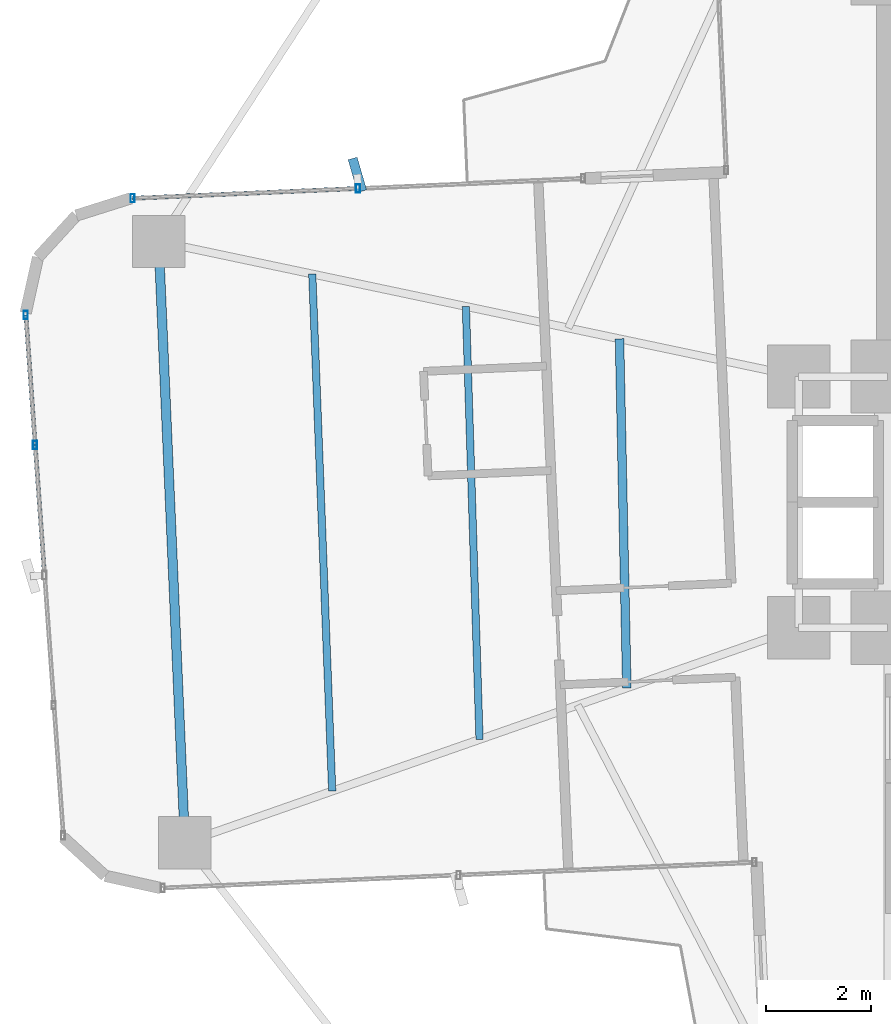
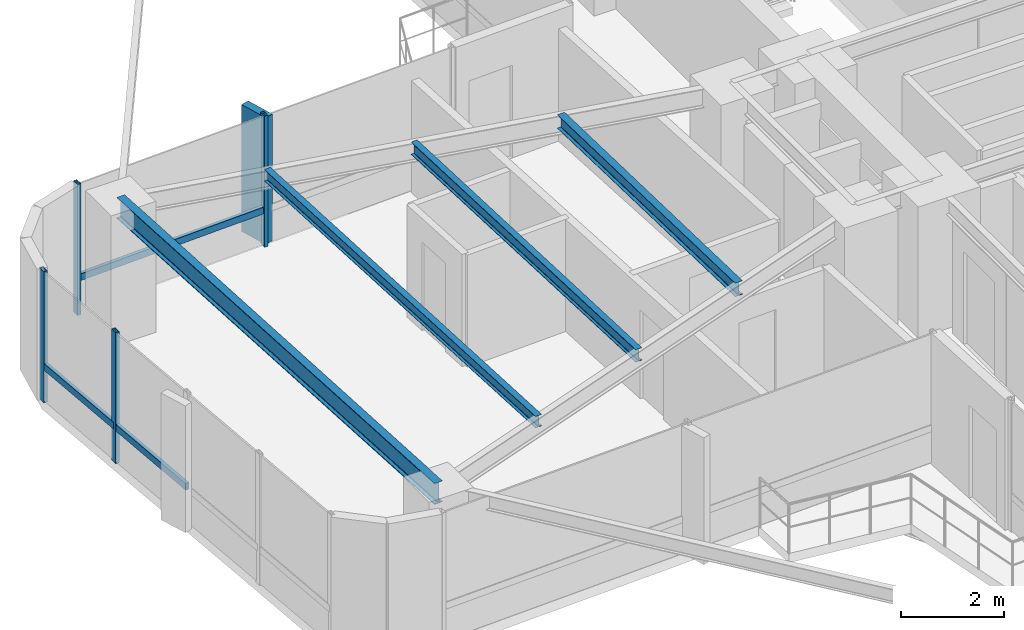
# One storey, part 9 of 26: 8 members, 4 beams, 2 elements without a shape of their own.
"""IFC4 building model written with IfcOpenShell, lengths in metres."""

from ifc_helpers import new_model, si_unit, direction, frame, origin, origin_2d, place, context, subcontext, project, spatial, rectangle, hollow_rectangle, i_section, extrude, source, transform, mapped, material, material_profile, profile_set, type_object, element, aggregate, save


model = new_model("IFC4")

# Units and contexts
model_context = context("Model", 3, precision=1e-05, world=origin(), true_north=direction((0.0, 1.0)))
body_context = subcontext(model_context, "Body", "Model", "MODEL_VIEW")
ifc_project = project(units=[si_unit("LENGTHUNIT", "METRE"), si_unit("AREAUNIT", "SQUARE_METRE"), si_unit("VOLUMEUNIT", "CUBIC_METRE"), si_unit("PLANEANGLEUNIT", "RADIAN"), si_unit("MASSUNIT", "GRAM", prefix="KILO")], contexts=[model_context])

# Site, building, storey
site_placement = place(None, origin())
site = spatial("IfcSite", under=ifc_project, at=site_placement, CompositionType="ELEMENT")
building_placement = place(site_placement, origin())
building = spatial("IfcBuilding", under=site, at=building_placement, Name="Sahyath Konkavel Grand Hotel", CompositionType="ELEMENT")
storey_placement = place(building_placement, frame((0.0, 0.0, 96.89990234375)))
storey = spatial("IfcBuildingStorey", under=building, at=storey_placement, Name="L26", CompositionType="ELEMENT", Elevation=96.89990234375)

# Beams
ifc_material_1 = material(Name="Steel E350", Category="steel")
ifc_material_profile_1 = material_profile(ifc_material_1, i_section(OverallWidth=0.179931640625, OverallDepth=0.5, WebThickness=0.01025390625, FlangeThickness=0.01708984375, FilletRadius=0.01708984375, at=origin_2d()), Name="ISMB 500")
ifc_profile_set_1 = profile_set([ifc_material_profile_1], Name="Steel E350")
beam_type_1 = type_object("IfcBeamType", Name="BM-ISMB500", PredefinedType="BEAM", material=ifc_profile_set_1)
shared_shape_1 = source(origin(), body_context, "Body", "SweptSolid", [
    extrude(i_section(OverallWidth=0.179931640625, OverallDepth=0.5, WebThickness=0.01025390625, FlangeThickness=0.01708984375, FilletRadius=0.01708984375, at=origin_2d()), origin(), (0.0, 0.0, 1.0), 11.5),
])
beam_1_placement = place(storey_placement, frame((-17.734130859375, 4.981201171875, 2.860107421875), z_axis=(0.043627008892, -0.99904788879, 0.0), x_axis=(0.99904788879, 0.043627008892, 0.0)))
element("IfcBeam", 1, at=beam_1_placement, inside=storey, type_object=beam_type_1, Name="L26 Wing Tip Edge Beam W", PredefinedType="BEAM", context=body_context, shape_type="MappedRepresentation", body=[
    mapped(shared_shape_1, transform((0.0, 0.0, 0.0), scale=1.0)),
])
ifc_material_profile_2 = material_profile(ifc_material_1, i_section(OverallWidth=0.1650390625, OverallDepth=0.324951171875, WebThickness=0.007080078125, FlangeThickness=0.009765625, FilletRadius=0.014892578125, at=origin_2d()), Name="ISLB 325")
ifc_profile_set_2 = profile_set([ifc_material_profile_2], Name="Steel E350")
beam_type_2 = type_object("IfcBeamType", Name="BM-ISLB325", PredefinedType="BEAM", material=ifc_profile_set_2)
shared_shape_2 = source(origin(), body_context, "Body", "SweptSolid", [
    extrude(i_section(OverallWidth=0.1650390625, OverallDepth=0.324951171875, WebThickness=0.007080078125, FlangeThickness=0.009765625, FilletRadius=0.014892578125, at=origin_2d()), origin(), (0.0, 0.0, 1.0), 6.674560546875),
])
beam_2_placement = place(storey_placement, frame((-8.925537109375, 3.122802734375, 2.947509765625), z_axis=(0.021032188543, -0.999778799058, 0.0), x_axis=(0.999778799058, 0.021032188543, 0.0)))
element("IfcBeam", 2, at=beam_2_placement, inside=storey, type_object=beam_type_2, Name="L26 Secondary Floor Beam W-1", PredefinedType="BEAM", context=body_context, shape_type="MappedRepresentation", body=[
    mapped(shared_shape_2, transform((0.0, 0.0, 0.0), scale=1.0)),
])
ifc_material_profile_3 = material_profile(ifc_material_1, i_section(OverallWidth=0.139892578125, OverallDepth=0.300048828125, WebThickness=0.0078125, FlangeThickness=0.01318359375, FilletRadius=0.013916015625, at=origin_2d()), Name="ISMB 300")
ifc_profile_set_3 = profile_set([ifc_material_profile_3], Name="Steel E350")
beam_type_3 = type_object("IfcBeamType", Name="BM-ISMB300", PredefinedType="BEAM", material=ifc_profile_set_3)
shared_shape_3 = source(origin(), body_context, "Body", "SweptSolid", [
    extrude(i_section(OverallWidth=0.139892578125, OverallDepth=0.300048828125, WebThickness=0.0078125, FlangeThickness=0.01318359375, FilletRadius=0.013916015625, at=origin_2d()), origin(), (0.0, 0.0, 1.0), 8.282470703125),
])
beam_3_placement = place(storey_placement, frame((-11.86181640625, 3.7421875, 2.960205078125), z_axis=(0.031510827707, -0.999503410568, 0.0), x_axis=(0.999503410568, 0.031510827707, 0.0)))
element("IfcBeam", 3, at=beam_3_placement, inside=storey, type_object=beam_type_3, Name="L26 Secondary Floor Beam W-2", PredefinedType="BEAM", context=body_context, shape_type="MappedRepresentation", body=[
    mapped(shared_shape_3, transform((0.0, 0.0, 0.0), scale=1.0)),
])
ifc_material_profile_4 = material_profile(ifc_material_1, i_section(OverallWidth=0.139892578125, OverallDepth=0.27490234375, WebThickness=0.00634765625, FlangeThickness=0.0087890625, FilletRadius=0.012939453125, at=origin_2d()), Name="ISLB 275")
ifc_profile_set_4 = profile_set([ifc_material_profile_4], Name="Steel E350")
beam_type_4 = type_object("IfcBeamType", Name="BM-ISLB275", PredefinedType="BEAM", material=ifc_profile_set_4)
shared_shape_4 = source(origin(), body_context, "Body", "SweptSolid", [
    extrude(i_section(OverallWidth=0.139892578125, OverallDepth=0.27490234375, WebThickness=0.00634765625, FlangeThickness=0.0087890625, FilletRadius=0.012939453125, at=origin_2d()), origin(), (0.0, 0.0, 1.0), 9.89111328125),
])
beam_4_placement = place(storey_placement, frame((-14.798095703125, 4.36181640625, 2.97265625), z_axis=(0.03855445741, -0.999256500511, 0.0), x_axis=(0.999256500511, 0.03855445741, 0.0)))
element("IfcBeam", 4, at=beam_4_placement, inside=storey, type_object=beam_type_4, Name="L26 Secondary Floor Beam W-3", PredefinedType="BEAM", context=body_context, shape_type="MappedRepresentation", body=[
    mapped(shared_shape_4, transform((0.0, 0.0, 0.0), scale=1.0)),
])

# Curtain wall, members
ifc_material_2 = material(Name="Anodised Bronze Aluminium & Low-E Glazing", Category="aluminium")
curtain_wall_type = type_object("IfcCurtainWallType", Name="CW-ZONE2", PredefinedType="NOTDEFINED", material=ifc_material_2)
curtain_wall_1_placement = place(storey_placement, origin())
curtain_wall_1 = element("IfcCurtainWall", 5, at=curtain_wall_1_placement, inside=storey, type_object=curtain_wall_type, Name="L26 Unitised Curtain Wall F16", PredefinedType="NOTDEFINED")
ifc_material_3 = material(Name="Warm Buff Sandstone Cladding on Concrete C50/60", Category="masonry")
ifc_material_profile_5 = material_profile(ifc_material_3, rectangle(XDim=0.179931640625, YDim=0.64990234375, at=origin_2d()), Name="FIN 180x650")
ifc_profile_set_5 = profile_set([ifc_material_profile_5], Name="Warm Buff Sandstone Cladding on Concrete C50/60")
member_type_1 = type_object("IfcMemberType", Name="FIN-SANDSTONE-650", PredefinedType="MULLION", material=ifc_profile_set_5)
shared_shape_5 = source(origin(), body_context, "Body", "SweptSolid", [
    extrude(rectangle(XDim=0.179931640625, YDim=0.64990234375, at=origin_2d()), origin(), (0.0, 0.0, 1.0), 3.010009765625),
])
member_1_placement = place(storey_placement, frame((-13.936279296875, 6.258056640625, 0.050048828125), z_axis=(0.0, 0.0, 1.0), x_axis=(0.960488224179, 0.278320626641, 0.0)))
member_1 = element("IfcMember", 6, at=member_1_placement, type_object=member_type_1, Name="L26 Sandstone Vertical Solar Fin FIN F16-1", PredefinedType="MULLION", context=body_context, shape_type="MappedRepresentation", body=[
    mapped(shared_shape_5, transform((0.0, 0.0, 0.0), scale=1.0)),
])
ifc_material_4 = material(Name="Anodised Bronze Aluminium", Category="aluminium")
ifc_material_profile_6 = material_profile(ifc_material_4, hollow_rectangle(XDim=0.080078125, YDim=0.159912109375, WallThickness=0.006103515625, at=origin_2d()), Name="RHS 160x80x6")
ifc_profile_set_6 = profile_set([ifc_material_profile_6], Name="Anodised Bronze Aluminium")
member_type_2 = type_object("IfcMemberType", Name="CW-MUL-160", PredefinedType="MULLION", material=ifc_profile_set_6)
shared_shape_6 = source(origin(), body_context, "Body", "SweptSolid", [
    extrude(hollow_rectangle(XDim=0.080078125, YDim=0.159912109375, WallThickness=0.006103515625, at=origin_2d()), origin(), (0.0, 0.0, 1.0), 3.110107421875),
])
member_2_placement = place(storey_placement, frame((-13.9248046875, 5.998291015625, 0.0), z_axis=(0.0, 0.0, 1.0), x_axis=(1.0, 0.0, 0.0)))
member_2 = element("IfcMember", 7, at=member_2_placement, type_object=member_type_2, Name="L26 Curtain Wall Mullion F16-1", PredefinedType="MULLION", context=body_context, shape_type="MappedRepresentation", body=[
    mapped(shared_shape_6, transform((0.0, 0.0, 0.0), scale=1.0)),
])
member_3_placement = place(storey_placement, frame((-18.230712890625, 5.810302734375, 0.0), z_axis=(0.0, 0.0, 1.0), x_axis=(1.0, 0.0, 0.0)))
member_3 = element("IfcMember", 8, at=member_3_placement, type_object=member_type_2, Name="L26 Curtain Wall Mullion F16-2", PredefinedType="MULLION", context=body_context, shape_type="MappedRepresentation", body=[
    mapped(shared_shape_6, transform((0.0, 0.0, 0.0), scale=1.0)),
])

curtain_wall_2_placement = place(storey_placement, origin())
curtain_wall_2 = element("IfcCurtainWall", 9, at=curtain_wall_2_placement, inside=storey, type_object=curtain_wall_type, Name="L26 Unitised Curtain Wall F20", PredefinedType="NOTDEFINED")
member_4_placement = place(storey_placement, frame((-20.2744140625, 3.5791015625, 0.0), z_axis=(0.0, 0.0, 1.0), x_axis=(1.0, 0.0, 0.0)))
member_4 = element("IfcMember", 10, at=member_4_placement, type_object=member_type_2, Name="L26 Curtain Wall Mullion F20-0", PredefinedType="MULLION", context=body_context, shape_type="MappedRepresentation", body=[
    mapped(shared_shape_6, transform((0.0, 0.0, 0.0), scale=1.0)),
])
member_5_placement = place(storey_placement, frame((-20.095947265625, 1.092041015625, 0.0), z_axis=(0.0, 0.0, 1.0), x_axis=(1.0, 0.0, 0.0)))
member_5 = element("IfcMember", 11, at=member_5_placement, type_object=member_type_2, Name="L26 Curtain Wall Mullion F20-1", PredefinedType="MULLION", context=body_context, shape_type="MappedRepresentation", body=[
    mapped(shared_shape_6, transform((0.0, 0.0, 0.0), scale=1.0)),
])

# Member
ifc_material_profile_7 = material_profile(ifc_material_4, hollow_rectangle(XDim=0.080078125, YDim=0.159912109375, WallThickness=0.006103515625, at=origin_2d()), Name="RHS 160x80x6")
ifc_profile_set_7 = profile_set([ifc_material_profile_7], Name="Anodised Bronze Aluminium")
member_type_3 = type_object("IfcMemberType", Name="CW-TRN-160", PredefinedType="USERDEFINED", material=ifc_profile_set_7)
shared_shape_7 = source(origin(), body_context, "Body", "SweptSolid", [
    extrude(hollow_rectangle(XDim=0.080078125, YDim=0.159912109375, WallThickness=0.006103515625, at=origin_2d()), origin(), (0.0, 0.0, 1.0), 4.31005859375),
])
member_6_placement = place(storey_placement, frame((-13.9248046875, 5.998291015625, 0.85009765625), z_axis=(-0.999048340188, -0.043616670746, 0.0), x_axis=(0.043616670746, -0.999048340188, 0.0)))
member_6 = element("IfcMember", 12, at=member_6_placement, type_object=member_type_3, Name="L26 Curtain Wall Transom F16-1-spandrel", ObjectType="TRANSOM", PredefinedType="USERDEFINED", context=body_context, shape_type="MappedRepresentation", body=[
    mapped(shared_shape_7, transform((0.0, 0.0, 0.0), scale=1.0)),
])

aggregate(curtain_wall_1, [member_2, member_1, member_3, member_6])

shared_shape_8 = source(origin(), body_context, "Body", "SweptSolid", [
    extrude(hollow_rectangle(XDim=0.080078125, YDim=0.159912109375, WallThickness=0.006103515625, at=origin_2d()), origin(), (0.0, 0.0, 1.0), 2.493408203125),
])
member_7_placement = place(storey_placement, frame((-20.2744140625, 3.5791015625, 0.85009765625), z_axis=(0.071574084062, -0.997435286367, 0.0), x_axis=(0.997435286367, 0.071574084062, 0.0)))
member_7 = element("IfcMember", 13, at=member_7_placement, type_object=member_type_3, Name="L26 Curtain Wall Transom F20-0-spandrel", ObjectType="TRANSOM", PredefinedType="USERDEFINED", context=body_context, shape_type="MappedRepresentation", body=[
    mapped(shared_shape_8, transform((0.0, 0.0, 0.0), scale=1.0)),
])

member_8_placement = place(storey_placement, frame((-20.095947265625, 1.092041015625, 0.85009765625), z_axis=(0.071574084062, -0.997435286367, 0.0), x_axis=(0.997435286367, 0.071574084062, 0.0)))
member_8 = element("IfcMember", 14, at=member_8_placement, type_object=member_type_3, Name="L26 Curtain Wall Transom F20-1-spandrel", ObjectType="TRANSOM", PredefinedType="USERDEFINED", context=body_context, shape_type="MappedRepresentation", body=[
    mapped(shared_shape_8, transform((0.0, 0.0, 0.0), scale=1.0)),
])

aggregate(curtain_wall_2, [member_4, member_5, member_7, member_8])

save(model, "model.ifc")
